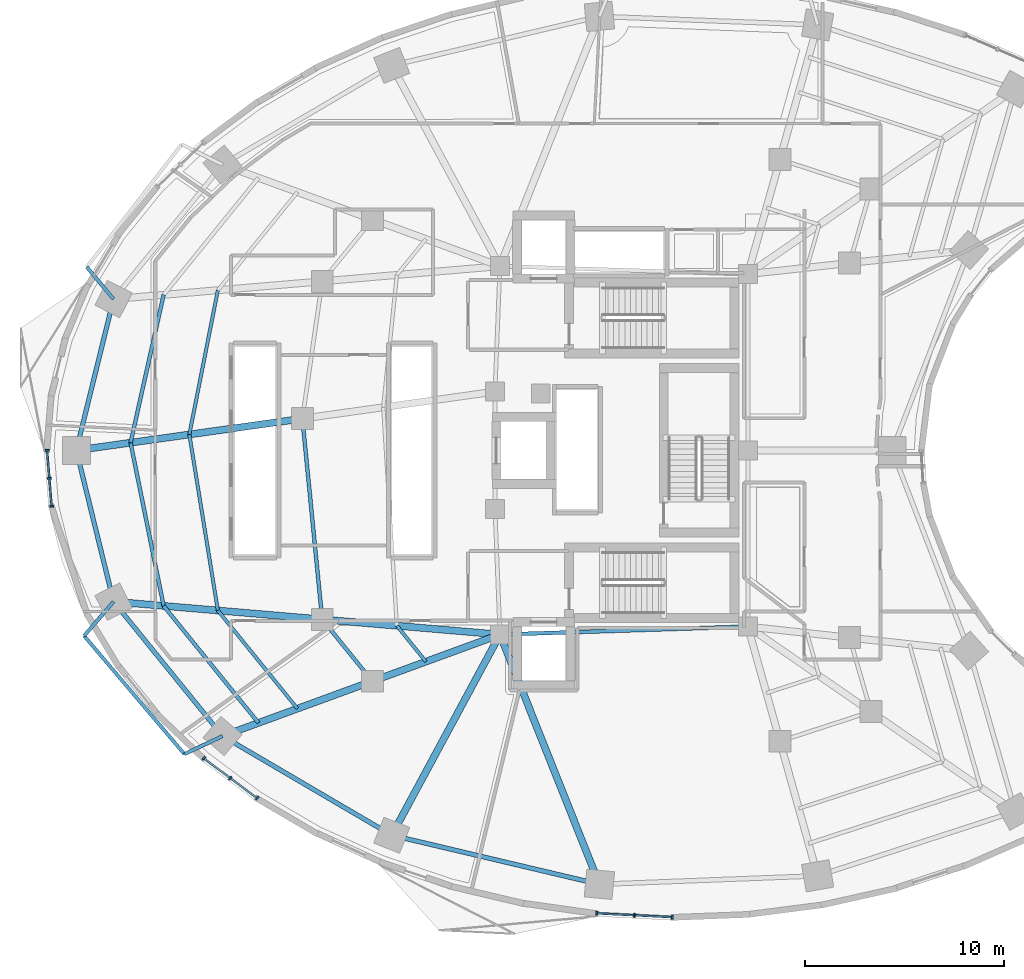
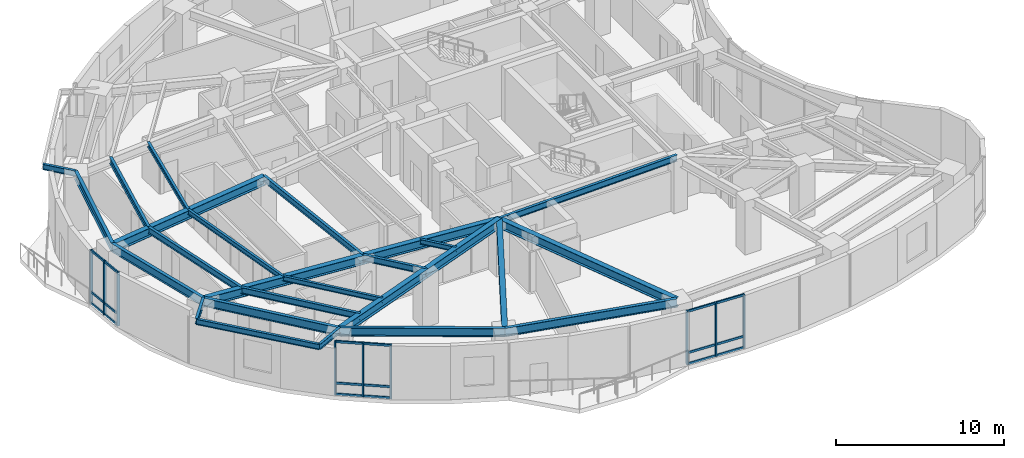
# One storey, part 3 of 17: 27 members, 26 beams, 3 elements without a shape of their own.
"""IFC4 building model written with IfcOpenShell, lengths in metres."""

from ifc_helpers import new_model, si_unit, direction, frame, origin, origin_2d, place, context, subcontext, project, spatial, rectangle, i_section, extrude, material, layer, layer_set, material_profile, profile_set, type_object, element, aggregate, save


model = new_model("IFC4")

# Units and contexts
model_context = context("Model", 3, precision=1e-05, world=origin(), true_north=direction((0.0, 1.0)))
body_context = subcontext(model_context, "Body", "Model", "MODEL_VIEW")
ifc_project = project(units=[si_unit("LENGTHUNIT", "METRE"), si_unit("AREAUNIT", "SQUARE_METRE"), si_unit("VOLUMEUNIT", "CUBIC_METRE"), si_unit("PLANEANGLEUNIT", "RADIAN"), si_unit("MASSUNIT", "GRAM", prefix="KILO")], contexts=[model_context])

# Site, building, storey
site_placement = place(None, origin())
site = spatial("IfcSite", under=ifc_project, at=site_placement, CompositionType="ELEMENT")
building_placement = place(site_placement, origin())
building = spatial("IfcBuilding", under=site, at=building_placement, Name="Korentha Bioscience Tower", CompositionType="ELEMENT")
storey_placement = place(building_placement, frame((0.0, 0.0, 25.800048828125)))
storey = spatial("IfcBuildingStorey", under=building, at=storey_placement, Name="L05", CompositionType="ELEMENT", Elevation=25.800048828125)

# Beams
ifc_material_1 = material(Name="Steel S355", Category="steel")
ifc_material_profile_1 = material_profile(ifc_material_1, i_section(OverallWidth=0.18994140625, OverallDepth=0.45703125, WebThickness=0.009033203125, FlangeThickness=0.014404296875, at=origin_2d()), Name="Steel S355")
ifc_profile_set_1 = profile_set([ifc_material_profile_1], Name="Steel S355 (MB-460)")
beam_type_1 = type_object("IfcBeamType", Name="Mid-Ring Tie Girder W460x74", PredefinedType="BEAM", material=ifc_profile_set_1)
beam_1_placement = place(storey_placement, frame((15.1787109375, 28.593505859375, 3.67138671875), z_axis=(0.098243909277, -0.995162365793, 0.0), x_axis=(0.995162365793, 0.098243909277, 0.0)))
element("IfcBeam", 1, at=beam_1_placement, inside=storey, type_object=beam_type_1, Name="L05 Mid-Ring Tie Girder 07", PredefinedType="BEAM", context=body_context, shape_type="SweptSolid", body=[
    extrude(i_section(OverallWidth=0.18994140625, OverallDepth=0.45703125, WebThickness=0.009033203125, FlangeThickness=0.014404296875, at=origin_2d()), origin(), (0.0, 0.0, 1.0), 10.131591796875),
])
beam_2_placement = place(storey_placement, frame((16.174072265625, 18.510986328125, 3.67138671875), z_axis=(0.629790009744, -0.776765436684, 0.0), x_axis=(0.776765436684, 0.629790009744, 0.0)))
element("IfcBeam", 2, at=beam_2_placement, inside=storey, type_object=beam_type_1, Name="L05 Mid-Ring Tie Girder 08", PredefinedType="BEAM", context=body_context, shape_type="SweptSolid", body=[
    extrude(i_section(OverallWidth=0.18994140625, OverallDepth=0.45703125, WebThickness=0.009033203125, FlangeThickness=0.014404296875, at=origin_2d()), origin(), (0.0, 0.0, 1.0), 3.998291015625),
])
beam_3_placement = place(storey_placement, frame((25.10009765625, 17.75, 3.67138671875), z_axis=(0.999484526071, 0.032104238723, 0.0), x_axis=(-0.032104238723, 0.999484526071, 0.0)))
element("IfcBeam", 3, at=beam_3_placement, inside=storey, type_object=beam_type_1, Name="L05 Core Ring Tie Girder 05", PredefinedType="BEAM", context=body_context, shape_type="SweptSolid", body=[
    extrude(i_section(OverallWidth=0.18994140625, OverallDepth=0.45703125, WebThickness=0.009033203125, FlangeThickness=0.014404296875, at=origin_2d()), origin(), (0.0, 0.0, 1.0), 12.456298828125),
])

# Curtain wall, members
ifc_material_2 = material(Name="Thermally Broken Aluminium Frame", Category="aluminium")
ifc_layer = layer(ifc_material_2, 0.219970703125, Name="Thermally Broken Aluminium Frame")
ifc_layer_set = layer_set([ifc_layer], Name="Thermally Broken Aluminium Frame (CW-T1)")
curtain_wall_type = type_object("IfcCurtainWallType", Name="Standard Bioscience Lab Unitised Curtain Wall CW-T1", PredefinedType="USERDEFINED", material=ifc_layer_set)
curtain_wall_1_placement = place(storey_placement, origin())
curtain_wall_1 = element("IfcCurtainWall", 4, at=curtain_wall_1_placement, inside=storey, type_object=curtain_wall_type, Name="L05 Curtain Wall 19", ObjectType="UNITISED", PredefinedType="USERDEFINED")
ifc_material_3 = material(Name="Anodised Aluminium 6063-T6", Category="aluminium")
ifc_material_profile_2 = material_profile(ifc_material_3, rectangle(XDim=0.090087890625, YDim=0.199951171875, at=origin_2d()), Name="Anodised Aluminium 6063-T6")
ifc_profile_set_2 = profile_set([ifc_material_profile_2], Name="Anodised Aluminium 6063-T6 (CW-MUL)")
member_type_1 = type_object("IfcMemberType", Name="Mullion RECT 90x200", PredefinedType="MULLION", material=ifc_profile_set_2)
member_1_placement = place(storey_placement, frame((2.35986328125, 27.0078125, 0.0), z_axis=(0.0, 0.0, 1.0), x_axis=(0.080820466375, -0.996728675325, 0.0)))
member_1 = element("IfcMember", 5, at=member_1_placement, type_object=member_type_1, Name="CW-L05-19 Mullion 1", PredefinedType="MULLION", context=body_context, shape_type="SweptSolid", body=[
    extrude(rectangle(XDim=0.090087890625, YDim=0.199951171875, at=origin_2d()), origin(), (0.0, 0.0, 1.0), 3.89990234375),
])
member_2_placement = place(storey_placement, frame((2.474365234375, 25.597412109375, 0.0), z_axis=(0.0, 0.0, 1.0), x_axis=(0.080820466375, -0.996728675325, 0.0)))
member_2 = element("IfcMember", 6, at=member_2_placement, type_object=member_type_1, Name="CW-L05-19 Mullion 2", PredefinedType="MULLION", context=body_context, shape_type="SweptSolid", body=[
    extrude(rectangle(XDim=0.090087890625, YDim=0.199951171875, at=origin_2d()), origin(), (0.0, 0.0, 1.0), 3.89990234375),
])
member_3_placement = place(storey_placement, frame((2.588623046875, 24.187255859375, 0.0), z_axis=(0.0, 0.0, 1.0), x_axis=(0.080820466375, -0.996728675325, 0.0)))
member_3 = element("IfcMember", 7, at=member_3_placement, type_object=member_type_1, Name="CW-L05-19 Mullion 3", PredefinedType="MULLION", context=body_context, shape_type="SweptSolid", body=[
    extrude(rectangle(XDim=0.090087890625, YDim=0.199951171875, at=origin_2d()), origin(), (0.0, 0.0, 1.0), 3.89990234375),
])

curtain_wall_2_placement = place(storey_placement, origin())
curtain_wall_2 = element("IfcCurtainWall", 8, at=curtain_wall_2_placement, inside=storey, type_object=curtain_wall_type, Name="L05 Curtain Wall 25", ObjectType="UNITISED", PredefinedType="USERDEFINED")
member_4_placement = place(storey_placement, frame((10.2216796875, 11.538818359375, 0.0), z_axis=(0.0, 0.0, 1.0), x_axis=(0.800797909614, -0.598934644145, 0.0)))
member_4 = element("IfcMember", 9, at=member_4_placement, type_object=member_type_1, Name="CW-L05-25 Mullion 1", PredefinedType="MULLION", context=body_context, shape_type="SweptSolid", body=[
    extrude(rectangle(XDim=0.090087890625, YDim=0.199951171875, at=origin_2d()), origin(), (0.0, 0.0, 1.0), 3.89990234375),
])
member_5_placement = place(storey_placement, frame((11.5634765625, 10.53515625, 0.0), z_axis=(0.0, 0.0, 1.0), x_axis=(0.800797909614, -0.598934644145, 0.0)))
member_5 = element("IfcMember", 10, at=member_5_placement, type_object=member_type_1, Name="CW-L05-25 Mullion 2", PredefinedType="MULLION", context=body_context, shape_type="SweptSolid", body=[
    extrude(rectangle(XDim=0.090087890625, YDim=0.199951171875, at=origin_2d()), origin(), (0.0, 0.0, 1.0), 3.89990234375),
])
member_6_placement = place(storey_placement, frame((12.9052734375, 9.53173828125, 0.0), z_axis=(0.0, 0.0, 1.0), x_axis=(0.800797909614, -0.598934644145, 0.0)))
member_6 = element("IfcMember", 11, at=member_6_placement, type_object=member_type_1, Name="CW-L05-25 Mullion 3", PredefinedType="MULLION", context=body_context, shape_type="SweptSolid", body=[
    extrude(rectangle(XDim=0.090087890625, YDim=0.199951171875, at=origin_2d()), origin(), (0.0, 0.0, 1.0), 3.89990234375),
])

curtain_wall_3_placement = place(storey_placement, origin())
curtain_wall_3 = element("IfcCurtainWall", 12, at=curtain_wall_3_placement, inside=storey, type_object=curtain_wall_type, Name="L05 Curtain Wall 31", ObjectType="UNITISED", PredefinedType="USERDEFINED")
member_7_placement = place(storey_placement, frame((29.9541015625, 3.75244140625, 0.0), z_axis=(0.0, 0.0, 1.0), x_axis=(0.998730551641, -0.050371472279, 0.0)))
member_7 = element("IfcMember", 13, at=member_7_placement, type_object=member_type_1, Name="CW-L05-31 Mullion 1", PredefinedType="MULLION", context=body_context, shape_type="SweptSolid", body=[
    extrude(rectangle(XDim=0.090087890625, YDim=0.199951171875, at=origin_2d()), origin(), (0.0, 0.0, 1.0), 3.89990234375),
])
member_8_placement = place(storey_placement, frame((31.855224609375, 3.656494140625, 0.0), z_axis=(0.0, 0.0, 1.0), x_axis=(0.998730551641, -0.050371472279, 0.0)))
member_8 = element("IfcMember", 14, at=member_8_placement, type_object=member_type_1, Name="CW-L05-31 Mullion 2", PredefinedType="MULLION", context=body_context, shape_type="SweptSolid", body=[
    extrude(rectangle(XDim=0.090087890625, YDim=0.199951171875, at=origin_2d()), origin(), (0.0, 0.0, 1.0), 3.89990234375),
])
member_9_placement = place(storey_placement, frame((33.75634765625, 3.560791015625, 0.0), z_axis=(0.0, 0.0, 1.0), x_axis=(0.998730551641, -0.050371472279, 0.0)))
member_9 = element("IfcMember", 15, at=member_9_placement, type_object=member_type_1, Name="CW-L05-31 Mullion 3", PredefinedType="MULLION", context=body_context, shape_type="SweptSolid", body=[
    extrude(rectangle(XDim=0.090087890625, YDim=0.199951171875, at=origin_2d()), origin(), (0.0, 0.0, 1.0), 3.89990234375),
])

# Beams
ifc_material_profile_3 = material_profile(ifc_material_1, i_section(OverallWidth=0.22802734375, OverallDepth=0.60791015625, WebThickness=0.01123046875, FlangeThickness=0.017333984375, at=origin_2d()), Name="Steel S355")
ifc_profile_set_3 = profile_set([ifc_material_profile_3], Name="Steel S355 (SB-610)")
beam_type_2 = type_object("IfcBeamType", Name="Perimeter Ring Spandrel Girder W610x113", PredefinedType="SPANDREL", material=ifc_profile_set_3)
beam_4_placement = place(storey_placement, frame((5.69580078125, 34.595703125, 3.595947265625), z_axis=(-0.239119105624, -0.970990243682, 0.0), x_axis=(0.970990243682, -0.239119105624, 0.0)))
element("IfcBeam", 16, at=beam_4_placement, inside=storey, type_object=beam_type_2, Name="L05 Perimeter Spandrel Girder 06", PredefinedType="SPANDREL", context=body_context, shape_type="SweptSolid", body=[
    extrude(i_section(OverallWidth=0.22802734375, OverallDepth=0.60791015625, WebThickness=0.01123046875, FlangeThickness=0.017333984375, at=origin_2d()), origin(), (0.0, 0.0, 1.0), 7.82177734375),
])
beam_5_placement = place(storey_placement, frame((3.825439453125, 27.000732421875, 3.595947265625), z_axis=(0.23907563132, -0.971000948768, 0.0), x_axis=(0.971000948768, 0.23907563132, 0.0)))
element("IfcBeam", 17, at=beam_5_placement, inside=storey, type_object=beam_type_2, Name="L05 Perimeter Spandrel Girder 07", PredefinedType="SPANDREL", context=body_context, shape_type="SweptSolid", body=[
    extrude(i_section(OverallWidth=0.22802734375, OverallDepth=0.60791015625, WebThickness=0.01123046875, FlangeThickness=0.017333984375, at=origin_2d()), origin(), (0.0, 0.0, 1.0), 7.8232421875),
])
beam_6_placement = place(storey_placement, frame((5.69580078125, 19.404296875, 3.595947265625), z_axis=(0.629799210231, -0.776757976974, 0.0), x_axis=(0.776757976974, 0.629799210231, 0.0)))
element("IfcBeam", 18, at=beam_6_placement, inside=storey, type_object=beam_type_2, Name="L05 Perimeter Spandrel Girder 08", PredefinedType="SPANDREL", context=body_context, shape_type="SweptSolid", body=[
    extrude(i_section(OverallWidth=0.22802734375, OverallDepth=0.60791015625, WebThickness=0.01123046875, FlangeThickness=0.017333984375, at=origin_2d()), origin(), (0.0, 0.0, 1.0), 8.69189453125),
])
beam_7_placement = place(storey_placement, frame((11.169921875, 12.65283203125, 3.595947265625), z_axis=(0.862656574181, -0.505790109653, 0.0), x_axis=(0.505790109653, 0.862656574181, 0.0)))
element("IfcBeam", 19, at=beam_7_placement, inside=storey, type_object=beam_type_2, Name="L05 Perimeter Spandrel Girder 09", PredefinedType="SPANDREL", context=body_context, shape_type="SweptSolid", body=[
    extrude(i_section(OverallWidth=0.22802734375, OverallDepth=0.60791015625, WebThickness=0.01123046875, FlangeThickness=0.017333984375, at=origin_2d()), origin(), (0.0, 0.0, 1.0), 9.849365234375),
])
beam_8_placement = place(storey_placement, frame((19.66650390625, 7.671142578125, 3.595947265625), z_axis=(0.973207885376, -0.229926970672, 0.0), x_axis=(0.229926970672, 0.973207885376, 0.0)))
element("IfcBeam", 20, at=beam_8_placement, inside=storey, type_object=beam_type_2, Name="L05 Perimeter Spandrel Girder 10", PredefinedType="SPANDREL", context=body_context, shape_type="SweptSolid", body=[
    extrude(i_section(OverallWidth=0.22802734375, OverallDepth=0.60791015625, WebThickness=0.01123046875, FlangeThickness=0.017333984375, at=origin_2d()), origin(), (0.0, 0.0, 1.0), 10.71484375),
])
ifc_material_profile_4 = material_profile(ifc_material_1, i_section(OverallWidth=0.18994140625, OverallDepth=0.45703125, WebThickness=0.009033203125, FlangeThickness=0.014404296875, at=origin_2d()), Name="Steel S355")
ifc_profile_set_4 = profile_set([ifc_material_profile_4], Name="Steel S355 (RB-460)")
beam_type_3 = type_object("IfcBeamType", Name="Radial Laboratory Beam W460x74", PredefinedType="BEAM", material=ifc_profile_set_4)
beam_9_placement = place(storey_placement, frame((8.21044921875, 34.81005859375, 3.67138671875), z_axis=(-0.218146323162, -0.975916073077, 0.0), x_axis=(0.975916073077, -0.218146323162, 0.0)))
element("IfcBeam", 21, at=beam_9_placement, inside=storey, type_object=beam_type_3, Name="L05 Secondary Floor Beam JSTO-06", PredefinedType="BEAM", context=body_context, shape_type="SweptSolid", body=[
    extrude(i_section(OverallWidth=0.18994140625, OverallDepth=0.45703125, WebThickness=0.009033203125, FlangeThickness=0.014404296875, at=origin_2d()), origin(), (0.0, 0.0, 1.0), 7.6103515625),
])
beam_10_placement = place(storey_placement, frame((6.55029296875, 27.383056640625, 3.67138671875), z_axis=(0.198592296955, -0.980082190222, 0.0), x_axis=(0.980082190222, 0.198592296955, 0.0)))
element("IfcBeam", 22, at=beam_10_placement, inside=storey, type_object=beam_type_3, Name="L05 Secondary Floor Beam JSTO-07", PredefinedType="BEAM", context=body_context, shape_type="SweptSolid", body=[
    extrude(i_section(OverallWidth=0.18994140625, OverallDepth=0.45703125, WebThickness=0.009033203125, FlangeThickness=0.014404296875, at=origin_2d()), origin(), (0.0, 0.0, 1.0), 8.359619140625),
])
beam_11_placement = place(storey_placement, frame((8.21044921875, 19.18994140625, 3.67138671875), z_axis=(0.629797748553, -0.776759162107, 0.0), x_axis=(0.776759162107, 0.629797748553, 0.0)))
element("IfcBeam", 23, at=beam_11_placement, inside=storey, type_object=beam_type_3, Name="L05 Secondary Floor Beam JSTO-08", PredefinedType="BEAM", context=body_context, shape_type="SweptSolid", body=[
    extrude(i_section(OverallWidth=0.18994140625, OverallDepth=0.45703125, WebThickness=0.009033203125, FlangeThickness=0.014404296875, at=origin_2d()), origin(), (0.0, 0.0, 1.0), 7.5654296875),
])
ifc_material_profile_5 = material_profile(ifc_material_1, i_section(OverallWidth=0.35009765625, OverallDepth=0.64990234375, WebThickness=0.01611328125, FlangeThickness=0.02490234375, at=origin_2d()), Name="Steel S355")
ifc_profile_set_5 = profile_set([ifc_material_profile_5], Name="Steel S355 (RB-650)")
beam_type_4 = type_object("IfcBeamType", Name="Radial Laboratory Girder CVS 650x208", PredefinedType="BEAM", material=ifc_profile_set_5)
beam_12_placement = place(storey_placement, frame((15.1787109375, 28.593505859375, 3.574951171875), z_axis=(-0.99030199745, -0.138931471762, 0.0), x_axis=(0.138931471762, -0.99030199745, 0.0)))
element("IfcBeam", 24, at=beam_12_placement, inside=storey, type_object=beam_type_4, Name="L05 Outer Radial Girder 07", PredefinedType="BEAM", context=body_context, shape_type="SweptSolid", body=[
    extrude(i_section(OverallWidth=0.35009765625, OverallDepth=0.64990234375, WebThickness=0.01611328125, FlangeThickness=0.02490234375, at=origin_2d()), origin(), (0.0, 0.0, 1.0), 11.46435546875),
])
beam_13_placement = place(storey_placement, frame((25.10009765625, 17.75, 3.574951171875), z_axis=(-0.996385503026, 0.08494662654, 0.0), x_axis=(-0.08494662654, -0.996385503026, 0.0)))
element("IfcBeam", 25, at=beam_13_placement, inside=storey, type_object=beam_type_4, Name="L05 Inner Radial Girder 08", PredefinedType="BEAM", context=body_context, shape_type="SweptSolid", body=[
    extrude(i_section(OverallWidth=0.35009765625, OverallDepth=0.64990234375, WebThickness=0.01611328125, FlangeThickness=0.02490234375, at=origin_2d()), origin(), (0.0, 0.0, 1.0), 8.95849609375),
])
beam_14_placement = place(storey_placement, frame((16.174072265625, 18.510986328125, 3.574951171875), z_axis=(-0.996385601055, 0.084945476695, 0.0), x_axis=(-0.084945476695, -0.996385601055, 0.0)))
element("IfcBeam", 26, at=beam_14_placement, inside=storey, type_object=beam_type_4, Name="L05 Outer Radial Girder 08", PredefinedType="BEAM", context=body_context, shape_type="SweptSolid", body=[
    extrude(i_section(OverallWidth=0.35009765625, OverallDepth=0.64990234375, WebThickness=0.01611328125, FlangeThickness=0.02490234375, at=origin_2d()), origin(), (0.0, 0.0, 1.0), 10.516357421875),
])
beam_15_placement = place(storey_placement, frame((25.10009765625, 17.75, 3.574951171875), z_axis=(-0.939106237741, -0.343626940498, 0.0), x_axis=(0.343626940498, -0.939106237741, 0.0)))
element("IfcBeam", 27, at=beam_15_placement, inside=storey, type_object=beam_type_4, Name="L05 Inner Radial Girder 09", PredefinedType="BEAM", context=body_context, shape_type="SweptSolid", body=[
    extrude(i_section(OverallWidth=0.35009765625, OverallDepth=0.64990234375, WebThickness=0.01611328125, FlangeThickness=0.02490234375, at=origin_2d()), origin(), (0.0, 0.0, 1.0), 6.823486328125),
])
beam_16_placement = place(storey_placement, frame((18.692138671875, 15.4052734375, 3.574951171875), z_axis=(-0.939106299948, -0.343626770491, 0.0), x_axis=(0.343626770491, -0.939106299948, 0.0)))
element("IfcBeam", 28, at=beam_16_placement, inside=storey, type_object=beam_type_4, Name="L05 Outer Radial Girder 09", PredefinedType="BEAM", context=body_context, shape_type="SweptSolid", body=[
    extrude(i_section(OverallWidth=0.35009765625, OverallDepth=0.64990234375, WebThickness=0.01611328125, FlangeThickness=0.02490234375, at=origin_2d()), origin(), (0.0, 0.0, 1.0), 8.010009765625),
])
beam_17_placement = place(storey_placement, frame((25.10009765625, 17.75, 3.574951171875), z_axis=(-0.47454097106, -0.880233416081, 0.0), x_axis=(0.880233416081, -0.47454097106, 0.0)))
element("IfcBeam", 29, at=beam_17_placement, inside=storey, type_object=beam_type_4, Name="L05 Radial Girder 10", PredefinedType="BEAM", context=body_context, shape_type="SweptSolid", body=[
    extrude(i_section(OverallWidth=0.35009765625, OverallDepth=0.64990234375, WebThickness=0.01611328125, FlangeThickness=0.02490234375, at=origin_2d()), origin(), (0.0, 0.0, 1.0), 11.4501953125),
])
beam_18_placement = place(storey_placement, frame((25.10009765625, 17.75, 3.574951171875), z_axis=(0.369931007413, -0.929059228335, 0.0), x_axis=(0.929059228335, 0.369931007413, 0.0)))
element("IfcBeam", 30, at=beam_18_placement, inside=storey, type_object=beam_type_4, Name="L05 Radial Girder 11", PredefinedType="BEAM", context=body_context, shape_type="SweptSolid", body=[
    extrude(i_section(OverallWidth=0.35009765625, OverallDepth=0.64990234375, WebThickness=0.01611328125, FlangeThickness=0.02490234375, at=origin_2d()), origin(), (0.0, 0.0, 1.0), 13.500244140625),
])
ifc_material_profile_6 = material_profile(ifc_material_1, i_section(OverallWidth=0.1708984375, OverallDepth=0.35498046875, WebThickness=0.007080078125, FlangeThickness=0.01171875, at=origin_2d()), Name="Steel S355")
ifc_profile_set_6 = profile_set([ifc_material_profile_6], Name="Steel S355 (JB-360)")
beam_type_5 = type_object("IfcBeamType", Name="Secondary Laboratory Joist W360x51", PredefinedType="JOIST", material=ifc_profile_set_6)
beam_19_placement = place(storey_placement, frame((10.934814453125, 35.042236328125, 3.722412109375), z_axis=(-0.193979665978, -0.981005550029, 0.0), x_axis=(0.981005550029, -0.193979665978, 0.0)))
element("IfcBeam", 31, at=beam_19_placement, inside=storey, type_object=beam_type_5, Name="L05 Secondary Floor Beam JST-06", PredefinedType="JOIST", context=body_context, shape_type="SweptSolid", body=[
    extrude(i_section(OverallWidth=0.1708984375, OverallDepth=0.35498046875, WebThickness=0.007080078125, FlangeThickness=0.01171875, at=origin_2d()), origin(), (0.0, 0.0, 1.0), 7.385498046875),
])
beam_20_placement = place(storey_placement, frame((9.502197265625, 27.797119140625, 3.722412109375), z_axis=(0.159984999905, -0.987119445561, 0.0), x_axis=(0.987119445561, 0.159984999905, 0.0)))
element("IfcBeam", 32, at=beam_20_placement, inside=storey, type_object=beam_type_5, Name="L05 Secondary Floor Beam JST-07", PredefinedType="JOIST", context=body_context, shape_type="SweptSolid", body=[
    extrude(i_section(OverallWidth=0.1708984375, OverallDepth=0.35498046875, WebThickness=0.007080078125, FlangeThickness=0.01171875, at=origin_2d()), origin(), (0.0, 0.0, 1.0), 8.95458984375),
])
beam_21_placement = place(storey_placement, frame((10.934814453125, 18.957763671875, 3.722412109375), z_axis=(0.629786899984, -0.776767958021, 0.0), x_axis=(0.776767958021, 0.629786899984, 0.0)))
element("IfcBeam", 33, at=beam_21_placement, inside=storey, type_object=beam_type_5, Name="L05 Secondary Floor Beam JST-08", PredefinedType="JOIST", context=body_context, shape_type="SweptSolid", body=[
    extrude(i_section(OverallWidth=0.1708984375, OverallDepth=0.35498046875, WebThickness=0.007080078125, FlangeThickness=0.01171875, at=origin_2d()), origin(), (0.0, 0.0, 1.0), 6.34521484375),
])
beam_22_placement = place(storey_placement, frame((19.9228515625, 18.19140625, 3.722412109375), z_axis=(0.629791657613, -0.776764100613, 0.0), x_axis=(0.776764100613, 0.629791657613, 0.0)))
element("IfcBeam", 34, at=beam_22_placement, inside=storey, type_object=beam_type_5, Name="L05 Inner Bay Joist 08", PredefinedType="JOIST", context=body_context, shape_type="SweptSolid", body=[
    extrude(i_section(OverallWidth=0.1708984375, OverallDepth=0.35498046875, WebThickness=0.007080078125, FlangeThickness=0.01171875, at=origin_2d()), origin(), (0.0, 0.0, 1.0), 2.31884765625),
])
ifc_material_profile_7 = material_profile(ifc_material_1, i_section(OverallWidth=0.177978515625, OverallDepth=0.406982421875, WebThickness=0.0078125, FlangeThickness=0.0126953125, at=origin_2d()), Name="Steel S355")
ifc_profile_set_7 = profile_set([ifc_material_profile_7], Name="Steel S355 (CB-410)")
beam_type_6 = type_object("IfcBeamType", Name="Sun-Ledge Cantilever Beam W410x60", PredefinedType="BEAM", material=ifc_profile_set_7)
beam_23_placement = place(storey_placement, frame((5.69580078125, 34.595703125, 3.698486328125), z_axis=(-0.640333447696, 0.768097048401, 0.0), x_axis=(-0.768097048401, -0.640333447696, 0.0)))
element("IfcBeam", 35, at=beam_23_placement, inside=storey, type_object=beam_type_6, Name="L05 Balcony Cantilever Bracket B-L06-02", PredefinedType="BEAM", context=body_context, shape_type="SweptSolid", body=[
    extrude(i_section(OverallWidth=0.177978515625, OverallDepth=0.406982421875, WebThickness=0.0078125, FlangeThickness=0.0126953125, at=origin_2d()), origin(), (0.0, 0.0, 1.0), 2.09423828125),
])
beam_24_placement = place(storey_placement, frame((5.69580078125, 19.404296875, 3.698486328125), z_axis=(-0.651766743288, -0.758419483099, 0.0), x_axis=(0.758419483099, -0.651766743288, 0.0)))
element("IfcBeam", 36, at=beam_24_placement, inside=storey, type_object=beam_type_6, Name="L05 Balcony Cantilever Bracket A-L06-03", PredefinedType="BEAM", context=body_context, shape_type="SweptSolid", body=[
    extrude(i_section(OverallWidth=0.177978515625, OverallDepth=0.406982421875, WebThickness=0.0078125, FlangeThickness=0.0126953125, at=origin_2d()), origin(), (0.0, 0.0, 1.0), 2.26611328125),
])
beam_25_placement = place(storey_placement, frame((11.169921875, 12.65283203125, 3.698486328125), z_axis=(-0.903735494396, -0.428091294199, 0.0), x_axis=(0.428091294199, -0.903735494396, 0.0)))
element("IfcBeam", 37, at=beam_25_placement, inside=storey, type_object=beam_type_6, Name="L05 Balcony Cantilever Bracket B-L06-03", PredefinedType="BEAM", context=body_context, shape_type="SweptSolid", body=[
    extrude(i_section(OverallWidth=0.177978515625, OverallDepth=0.406982421875, WebThickness=0.0078125, FlangeThickness=0.0126953125, at=origin_2d()), origin(), (0.0, 0.0, 1.0), 2.120361328125),
])
beam_26_placement = place(storey_placement, frame((4.21875, 17.685546875, 3.698486328125), z_axis=(0.646570249962, -0.762854449987, 0.0), x_axis=(0.762854449987, 0.646570249962, 0.0)))
element("IfcBeam", 38, at=beam_26_placement, inside=storey, type_object=beam_type_6, Name="L05 Balcony Edge Trimmer Beam L06-03", PredefinedType="BEAM", context=body_context, shape_type="SweptSolid", body=[
    extrude(i_section(OverallWidth=0.177978515625, OverallDepth=0.406982421875, WebThickness=0.0078125, FlangeThickness=0.0126953125, at=origin_2d()), origin(), (0.0, 0.0, 1.0), 7.787109375),
])

# Member
ifc_material_profile_8 = material_profile(ifc_material_3, rectangle(XDim=0.090087890625, YDim=0.159912109375, at=origin_2d()), Name="Anodised Aluminium 6063-T6")
ifc_profile_set_8 = profile_set([ifc_material_profile_8], Name="Anodised Aluminium 6063-T6 (CW-TRN)")
member_type_2 = type_object("IfcMemberType", Name="Transom RECT 90x160", PredefinedType="USERDEFINED", material=ifc_profile_set_8)
member_10_placement = place(storey_placement, frame((2.363525390625, 26.963134765625, 0.044921875), z_axis=(0.080880177847, -0.996723831777, 0.0), x_axis=(0.996723831777, 0.080880177847, 0.0)))
member_10 = element("IfcMember", 39, at=member_10_placement, type_object=member_type_2, Name="CW-L05-19 Bay 1 Transom 1", ObjectType="TRANSOM", PredefinedType="USERDEFINED", context=body_context, shape_type="SweptSolid", body=[
    extrude(rectangle(XDim=0.090087890625, YDim=0.159912109375, at=origin_2d()), origin(), (0.0, 0.0, 1.0), 1.3251953125),
])

member_11_placement = place(storey_placement, frame((2.363525390625, 26.963134765625, 0.849853515625), z_axis=(0.080880177847, -0.996723831777, 0.0), x_axis=(0.996723831777, 0.080880177847, 0.0)))
member_11 = element("IfcMember", 40, at=member_11_placement, type_object=member_type_2, Name="CW-L05-19 Bay 1 Transom 2", ObjectType="TRANSOM", PredefinedType="USERDEFINED", context=body_context, shape_type="SweptSolid", body=[
    extrude(rectangle(XDim=0.090087890625, YDim=0.159912109375, at=origin_2d()), origin(), (0.0, 0.0, 1.0), 1.3251953125),
])

member_12_placement = place(storey_placement, frame((2.363525390625, 26.963134765625, 3.85498046875), z_axis=(0.080880177847, -0.996723831777, 0.0), x_axis=(0.996723831777, 0.080880177847, 0.0)))
member_12 = element("IfcMember", 41, at=member_12_placement, type_object=member_type_2, Name="CW-L05-19 Bay 1 Transom 3", ObjectType="TRANSOM", PredefinedType="USERDEFINED", context=body_context, shape_type="SweptSolid", body=[
    extrude(rectangle(XDim=0.090087890625, YDim=0.159912109375, at=origin_2d()), origin(), (0.0, 0.0, 1.0), 1.3251953125),
])

member_13_placement = place(storey_placement, frame((2.477783203125, 25.552734375, 0.044921875), z_axis=(0.080880177847, -0.996723831777, 0.0), x_axis=(0.996723831777, 0.080880177847, 0.0)))
member_13 = element("IfcMember", 42, at=member_13_placement, type_object=member_type_2, Name="CW-L05-19 Bay 2 Transom 1", ObjectType="TRANSOM", PredefinedType="USERDEFINED", context=body_context, shape_type="SweptSolid", body=[
    extrude(rectangle(XDim=0.090087890625, YDim=0.159912109375, at=origin_2d()), origin(), (0.0, 0.0, 1.0), 1.3251953125),
])

member_14_placement = place(storey_placement, frame((2.477783203125, 25.552734375, 0.849853515625), z_axis=(0.080880177847, -0.996723831777, 0.0), x_axis=(0.996723831777, 0.080880177847, 0.0)))
member_14 = element("IfcMember", 43, at=member_14_placement, type_object=member_type_2, Name="CW-L05-19 Bay 2 Transom 2", ObjectType="TRANSOM", PredefinedType="USERDEFINED", context=body_context, shape_type="SweptSolid", body=[
    extrude(rectangle(XDim=0.090087890625, YDim=0.159912109375, at=origin_2d()), origin(), (0.0, 0.0, 1.0), 1.3251953125),
])

member_15_placement = place(storey_placement, frame((2.477783203125, 25.552734375, 3.85498046875), z_axis=(0.080880177847, -0.996723831777, 0.0), x_axis=(0.996723831777, 0.080880177847, 0.0)))
member_15 = element("IfcMember", 44, at=member_15_placement, type_object=member_type_2, Name="CW-L05-19 Bay 2 Transom 3", ObjectType="TRANSOM", PredefinedType="USERDEFINED", context=body_context, shape_type="SweptSolid", body=[
    extrude(rectangle(XDim=0.090087890625, YDim=0.159912109375, at=origin_2d()), origin(), (0.0, 0.0, 1.0), 1.3251953125),
])

aggregate(curtain_wall_1, [member_1, member_2, member_3, member_10, member_11, member_12, member_13, member_14, member_15])

member_16_placement = place(storey_placement, frame((10.2578125, 11.51171875, 0.044921875), z_axis=(0.8008676283, -0.598841416354, 0.0), x_axis=(0.598841416354, 0.8008676283, 0.0)))
member_16 = element("IfcMember", 45, at=member_16_placement, type_object=member_type_2, Name="CW-L05-25 Bay 1 Transom 1", ObjectType="TRANSOM", PredefinedType="USERDEFINED", context=body_context, shape_type="SweptSolid", body=[
    extrude(rectangle(XDim=0.090087890625, YDim=0.159912109375, at=origin_2d()), origin(), (0.0, 0.0, 1.0), 1.58544921875),
])

member_17_placement = place(storey_placement, frame((10.2578125, 11.51171875, 0.849853515625), z_axis=(0.8008676283, -0.598841416354, 0.0), x_axis=(0.598841416354, 0.8008676283, 0.0)))
member_17 = element("IfcMember", 46, at=member_17_placement, type_object=member_type_2, Name="CW-L05-25 Bay 1 Transom 2", ObjectType="TRANSOM", PredefinedType="USERDEFINED", context=body_context, shape_type="SweptSolid", body=[
    extrude(rectangle(XDim=0.090087890625, YDim=0.159912109375, at=origin_2d()), origin(), (0.0, 0.0, 1.0), 1.58544921875),
])

member_18_placement = place(storey_placement, frame((10.2578125, 11.51171875, 3.85498046875), z_axis=(0.8008676283, -0.598841416354, 0.0), x_axis=(0.598841416354, 0.8008676283, 0.0)))
member_18 = element("IfcMember", 47, at=member_18_placement, type_object=member_type_2, Name="CW-L05-25 Bay 1 Transom 3", ObjectType="TRANSOM", PredefinedType="USERDEFINED", context=body_context, shape_type="SweptSolid", body=[
    extrude(rectangle(XDim=0.090087890625, YDim=0.159912109375, at=origin_2d()), origin(), (0.0, 0.0, 1.0), 1.58544921875),
])

member_19_placement = place(storey_placement, frame((11.599609375, 10.50830078125, 0.044921875), z_axis=(0.800738536228, -0.59901402037, 0.0), x_axis=(0.59901402037, 0.800738536228, 0.0)))
member_19 = element("IfcMember", 48, at=member_19_placement, type_object=member_type_2, Name="CW-L05-25 Bay 2 Transom 1", ObjectType="TRANSOM", PredefinedType="USERDEFINED", context=body_context, shape_type="SweptSolid", body=[
    extrude(rectangle(XDim=0.090087890625, YDim=0.159912109375, at=origin_2d()), origin(), (0.0, 0.0, 1.0), 1.58544921875),
])

member_20_placement = place(storey_placement, frame((11.599609375, 10.50830078125, 0.849853515625), z_axis=(0.800738536228, -0.59901402037, 0.0), x_axis=(0.59901402037, 0.800738536228, 0.0)))
member_20 = element("IfcMember", 49, at=member_20_placement, type_object=member_type_2, Name="CW-L05-25 Bay 2 Transom 2", ObjectType="TRANSOM", PredefinedType="USERDEFINED", context=body_context, shape_type="SweptSolid", body=[
    extrude(rectangle(XDim=0.090087890625, YDim=0.159912109375, at=origin_2d()), origin(), (0.0, 0.0, 1.0), 1.58544921875),
])

member_21_placement = place(storey_placement, frame((11.599609375, 10.50830078125, 3.85498046875), z_axis=(0.800738536228, -0.59901402037, 0.0), x_axis=(0.59901402037, 0.800738536228, 0.0)))
member_21 = element("IfcMember", 50, at=member_21_placement, type_object=member_type_2, Name="CW-L05-25 Bay 2 Transom 3", ObjectType="TRANSOM", PredefinedType="USERDEFINED", context=body_context, shape_type="SweptSolid", body=[
    extrude(rectangle(XDim=0.090087890625, YDim=0.159912109375, at=origin_2d()), origin(), (0.0, 0.0, 1.0), 1.58544921875),
])

aggregate(curtain_wall_2, [member_4, member_5, member_6, member_16, member_17, member_18, member_19, member_20, member_21])

member_22_placement = place(storey_placement, frame((29.9990234375, 3.750244140625, 0.044921875), z_axis=(0.998731776836, -0.050347174085, 0.0), x_axis=(0.050347174085, 0.998731776836, 0.0)))
member_22 = element("IfcMember", 51, at=member_22_placement, type_object=member_type_2, Name="CW-L05-31 Bay 1 Transom 1", ObjectType="TRANSOM", PredefinedType="USERDEFINED", context=body_context, shape_type="SweptSolid", body=[
    extrude(rectangle(XDim=0.090087890625, YDim=0.159912109375, at=origin_2d()), origin(), (0.0, 0.0, 1.0), 1.8134765625),
])

member_23_placement = place(storey_placement, frame((29.9990234375, 3.750244140625, 0.849853515625), z_axis=(0.998731776836, -0.050347174085, 0.0), x_axis=(0.050347174085, 0.998731776836, 0.0)))
member_23 = element("IfcMember", 52, at=member_23_placement, type_object=member_type_2, Name="CW-L05-31 Bay 1 Transom 2", ObjectType="TRANSOM", PredefinedType="USERDEFINED", context=body_context, shape_type="SweptSolid", body=[
    extrude(rectangle(XDim=0.090087890625, YDim=0.159912109375, at=origin_2d()), origin(), (0.0, 0.0, 1.0), 1.8134765625),
])

member_24_placement = place(storey_placement, frame((29.9990234375, 3.750244140625, 3.85498046875), z_axis=(0.998731776836, -0.050347174085, 0.0), x_axis=(0.050347174085, 0.998731776836, 0.0)))
member_24 = element("IfcMember", 53, at=member_24_placement, type_object=member_type_2, Name="CW-L05-31 Bay 1 Transom 3", ObjectType="TRANSOM", PredefinedType="USERDEFINED", context=body_context, shape_type="SweptSolid", body=[
    extrude(rectangle(XDim=0.090087890625, YDim=0.159912109375, at=origin_2d()), origin(), (0.0, 0.0, 1.0), 1.8134765625),
])

member_25_placement = place(storey_placement, frame((31.900146484375, 3.654296875, 0.044921875), z_axis=(0.998731776836, -0.050347174085, 0.0), x_axis=(0.050347174085, 0.998731776836, 0.0)))
member_25 = element("IfcMember", 54, at=member_25_placement, type_object=member_type_2, Name="CW-L05-31 Bay 2 Transom 1", ObjectType="TRANSOM", PredefinedType="USERDEFINED", context=body_context, shape_type="SweptSolid", body=[
    extrude(rectangle(XDim=0.090087890625, YDim=0.159912109375, at=origin_2d()), origin(), (0.0, 0.0, 1.0), 1.8134765625),
])

member_26_placement = place(storey_placement, frame((31.900146484375, 3.654296875, 0.849853515625), z_axis=(0.998731776836, -0.050347174085, 0.0), x_axis=(0.050347174085, 0.998731776836, 0.0)))
member_26 = element("IfcMember", 55, at=member_26_placement, type_object=member_type_2, Name="CW-L05-31 Bay 2 Transom 2", ObjectType="TRANSOM", PredefinedType="USERDEFINED", context=body_context, shape_type="SweptSolid", body=[
    extrude(rectangle(XDim=0.090087890625, YDim=0.159912109375, at=origin_2d()), origin(), (0.0, 0.0, 1.0), 1.8134765625),
])

member_27_placement = place(storey_placement, frame((31.900146484375, 3.654296875, 3.85498046875), z_axis=(0.998731776836, -0.050347174085, 0.0), x_axis=(0.050347174085, 0.998731776836, 0.0)))
member_27 = element("IfcMember", 56, at=member_27_placement, type_object=member_type_2, Name="CW-L05-31 Bay 2 Transom 3", ObjectType="TRANSOM", PredefinedType="USERDEFINED", context=body_context, shape_type="SweptSolid", body=[
    extrude(rectangle(XDim=0.090087890625, YDim=0.159912109375, at=origin_2d()), origin(), (0.0, 0.0, 1.0), 1.8134765625),
])

aggregate(curtain_wall_3, [member_7, member_8, member_9, member_22, member_23, member_24, member_25, member_26, member_27])

save(model, "model.ifc")
